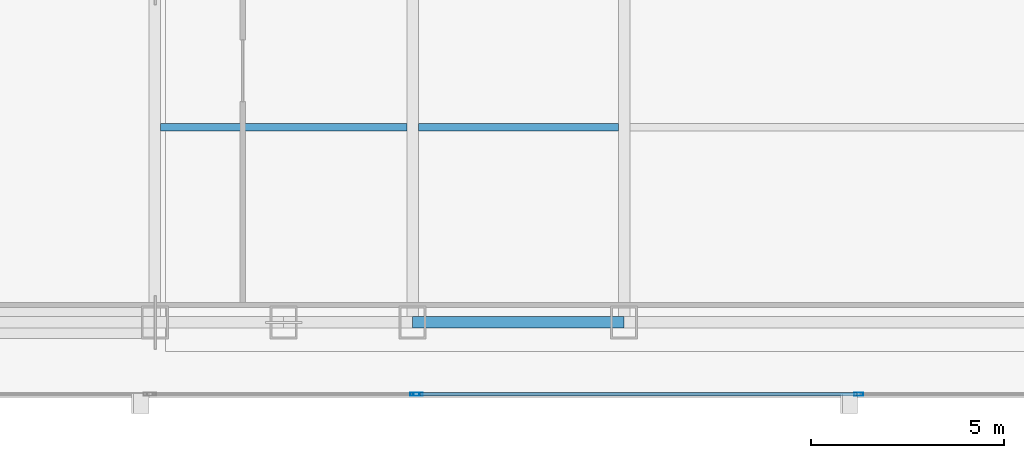
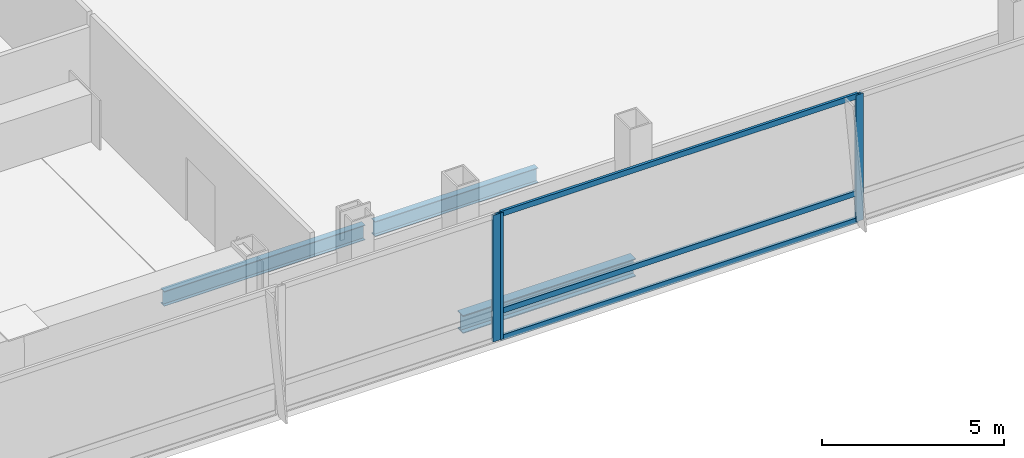
# One storey, part 7 of 25: 6 members, 3 beams, 2 elements without a shape of their own.
"""IFC4 building model written with IfcOpenShell, lengths in metres."""

from ifc_helpers import new_model, si_unit, direction, frame, origin, origin_2d, place, context, subcontext, project, spatial, hollow_rectangle, i_section, extrude, material, material_profile, profile_set, type_object, element, aggregate, save


model = new_model("IFC4")

# Units and contexts
model_context = context("Model", 3, precision=1e-05, world=origin(), true_north=direction((0.0, 1.0)))
body_context = subcontext(model_context, "Body", "Model", "MODEL_VIEW")
ifc_project = project(units=[si_unit("LENGTHUNIT", "METRE"), si_unit("AREAUNIT", "SQUARE_METRE"), si_unit("VOLUMEUNIT", "CUBIC_METRE"), si_unit("PLANEANGLEUNIT", "RADIAN"), si_unit("MASSUNIT", "GRAM", prefix="KILO")], contexts=[model_context])

# Site, building, storey
site_placement = place(None, origin())
site = spatial("IfcSite", under=ifc_project, at=site_placement, CompositionType="ELEMENT")
building_placement = place(site_placement, origin())
building = spatial("IfcBuilding", under=site, at=building_placement, Name="Khoronbel Lancet Exchange", CompositionType="ELEMENT")
storey_placement = place(building_placement, frame((0.0, 0.0, 184.199951171875)))
storey = spatial("IfcBuildingStorey", under=building, at=storey_placement, Name="L46", CompositionType="ELEMENT", Elevation=184.199951171875)

# Beams
ifc_material_1 = material(Name="Steel S355", Category="steel")
ifc_material_profile_1 = material_profile(ifc_material_1, i_section(OverallWidth=0.199951171875, OverallDepth=0.5, WebThickness=0.01025390625, FlangeThickness=0.01611328125, at=origin_2d()), Name="IPE 500")
ifc_profile_set_1 = profile_set([ifc_material_profile_1], Name="Steel S355")
beam_type_1 = type_object("IfcBeamType", Name="BM-BJ3", PredefinedType="JOIST", material=ifc_profile_set_1)
beam_1_placement = place(storey_placement, frame((18.375, 15.199951171875, -0.449951171875), z_axis=(1.0, 0.0, 0.0), x_axis=(0.0, 1.0, 0.0)))
element("IfcBeam", 1, at=beam_1_placement, inside=storey, type_object=beam_type_1, Name="Level L46 secondary composite joist J01", PredefinedType="JOIST", context=body_context, shape_type="SweptSolid", body=[
    extrude(i_section(OverallWidth=0.199951171875, OverallDepth=0.5, WebThickness=0.01025390625, FlangeThickness=0.01611328125, at=origin_2d()), origin(), (0.0, 0.0, 1.0), 6.375),
])
beam_2_placement = place(storey_placement, frame((25.050048828125, 15.199951171875, -0.449951171875), z_axis=(1.0, 0.0, 0.0), x_axis=(0.0, 1.0, 0.0)))
element("IfcBeam", 2, at=beam_2_placement, inside=storey, type_object=beam_type_1, Name="Level L46 secondary composite joist J02", PredefinedType="JOIST", context=body_context, shape_type="SweptSolid", body=[
    extrude(i_section(OverallWidth=0.199951171875, OverallDepth=0.5, WebThickness=0.01025390625, FlangeThickness=0.01611328125, at=origin_2d()), origin(), (0.0, 0.0, 1.0), 5.175048828125),
])
ifc_material_profile_2 = material_profile(ifc_material_1, i_section(OverallWidth=0.300048828125, OverallDepth=0.60009765625, WebThickness=0.015380859375, FlangeThickness=0.030029296875, at=origin_2d()), Name="HEB 600")
ifc_profile_set_2 = profile_set([ifc_material_profile_2], Name="Steel S355")
beam_type_2 = type_object("IfcBeamType", Name="BM-BSP2", PredefinedType="SPANDREL", material=ifc_profile_set_2)
beam_3_placement = place(storey_placement, frame((24.89990234375, 10.14990234375, -0.5), z_axis=(1.0, 0.0, 0.0), x_axis=(0.0, 1.0, 0.0)))
element("IfcBeam", 3, at=beam_3_placement, inside=storey, type_object=beam_type_2, Name="Level L46 perimeter spandrel beam SP04", PredefinedType="SPANDREL", context=body_context, shape_type="SweptSolid", body=[
    extrude(i_section(OverallWidth=0.300048828125, OverallDepth=0.60009765625, WebThickness=0.015380859375, FlangeThickness=0.030029296875, at=origin_2d()), origin(), (0.0, 0.0, 1.0), 5.47509765625),
])

# Curtain wall, member
ifc_material_2 = material(Name="Low-E Solar Control Insulating Glass", Category="glass")
curtain_wall_type = type_object("IfcCurtainWallType", Name="CW-3", PredefinedType="NOTDEFINED", material=ifc_material_2)
curtain_wall_1_placement = place(storey_placement, origin())
curtain_wall_1 = element("IfcCurtainWall", 4, at=curtain_wall_1_placement, inside=storey, type_object=curtain_wall_type, Name="Unitised curtain wall CW-L46-SWB", PredefinedType="NOTDEFINED")
ifc_material_3 = material(Name="Bronze-Anodised Aluminium 6063-T6", Category="aluminium")
ifc_material_profile_3 = material_profile(ifc_material_3, hollow_rectangle(XDim=0.0849609375, YDim=0.239990234375, WallThickness=0.006103515625, at=origin_2d()), Name="ALU MULLION 85x240")
ifc_profile_set_3 = profile_set([ifc_material_profile_3], Name="Bronze-Anodised Aluminium 6063-T6")
member_type_1 = type_object("IfcMemberType", Name="MEM-CWM1", PredefinedType="MULLION", material=ifc_profile_set_3)
member_1_placement = place(storey_placement, frame((24.95751953125, 8.2900390625, 0.0), z_axis=(0.0, 0.0, 1.0), x_axis=(0.0, 1.0, 0.0)))
member_1 = element("IfcMember", 5, at=member_1_placement, type_object=member_type_1, Name="CW3 mullion 2", PredefinedType="MULLION", context=body_context, shape_type="SweptSolid", body=[
    extrude(hollow_rectangle(XDim=0.0849609375, YDim=0.239990234375, WallThickness=0.006103515625, at=origin_2d()), origin(), (0.0, 0.0, 1.0), 4.239990234375),
])
aggregate(curtain_wall_1, [member_1])

# Curtain wall, members
curtain_wall_2_placement = place(storey_placement, origin())
curtain_wall_2 = element("IfcCurtainWall", 6, at=curtain_wall_2_placement, inside=storey, type_object=curtain_wall_type, Name="Unitised curtain wall CW-L46-SCV", PredefinedType="NOTDEFINED")
member_2_placement = place(storey_placement, frame((25.04248046875, 8.2900390625, 0.0), z_axis=(0.0, 0.0, 1.0), x_axis=(0.0, 1.0, 0.0)))
member_2 = element("IfcMember", 7, at=member_2_placement, type_object=member_type_1, Name="CW3 mullion 1", PredefinedType="MULLION", context=body_context, shape_type="SweptSolid", body=[
    extrude(hollow_rectangle(XDim=0.0849609375, YDim=0.239990234375, WallThickness=0.006103515625, at=origin_2d()), origin(), (0.0, 0.0, 1.0), 4.239990234375),
])
member_3_placement = place(storey_placement, frame((36.449951171875, 8.2900390625, 0.0), z_axis=(0.0, 0.0, 1.0), x_axis=(0.0, 1.0, 0.0)))
member_3 = element("IfcMember", 8, at=member_3_placement, type_object=member_type_1, Name="CW3 mullion 2", PredefinedType="MULLION", context=body_context, shape_type="SweptSolid", body=[
    extrude(hollow_rectangle(XDim=0.0849609375, YDim=0.239990234375, WallThickness=0.006103515625, at=origin_2d()), origin(), (0.0, 0.0, 1.0), 4.239990234375),
])
ifc_material_profile_4 = material_profile(ifc_material_3, hollow_rectangle(XDim=0.0849609375, YDim=0.179931640625, WallThickness=0.0048828125, at=origin_2d()), Name="ALU TRANSOM 85x180")
ifc_profile_set_4 = profile_set([ifc_material_profile_4], Name="Bronze-Anodised Aluminium 6063-T6")
member_type_2 = type_object("IfcMemberType", Name="MEM-CWT1", PredefinedType="USERDEFINED", material=ifc_profile_set_4)
member_4_placement = place(storey_placement, frame((25.0849609375, 8.2900390625, 0.04248046875), z_axis=(1.0, 0.0, 0.0), x_axis=(0.0, 1.0, 0.0)))
member_4 = element("IfcMember", 9, at=member_4_placement, type_object=member_type_2, Name="CW3 transom 1.1", ObjectType="TRANSOM", PredefinedType="USERDEFINED", context=body_context, shape_type="SweptSolid", body=[
    extrude(hollow_rectangle(XDim=0.0849609375, YDim=0.179931640625, WallThickness=0.0048828125, at=origin_2d()), origin(), (0.0, 0.0, 1.0), 11.322509765625),
])
member_5_placement = place(storey_placement, frame((25.0849609375, 8.2900390625, 0.949951171875), z_axis=(1.0, 0.0, 0.0), x_axis=(0.0, 1.0, 0.0)))
member_5 = element("IfcMember", 10, at=member_5_placement, type_object=member_type_2, Name="CW3 transom 1.2", ObjectType="TRANSOM", PredefinedType="USERDEFINED", context=body_context, shape_type="SweptSolid", body=[
    extrude(hollow_rectangle(XDim=0.0849609375, YDim=0.179931640625, WallThickness=0.0048828125, at=origin_2d()), origin(), (0.0, 0.0, 1.0), 11.322509765625),
])
member_6_placement = place(storey_placement, frame((25.0849609375, 8.2900390625, 4.197509765625), z_axis=(1.0, 0.0, 0.0), x_axis=(0.0, 1.0, 0.0)))
member_6 = element("IfcMember", 11, at=member_6_placement, type_object=member_type_2, Name="CW3 transom 1.3", ObjectType="TRANSOM", PredefinedType="USERDEFINED", context=body_context, shape_type="SweptSolid", body=[
    extrude(hollow_rectangle(XDim=0.0849609375, YDim=0.179931640625, WallThickness=0.0048828125, at=origin_2d()), origin(), (0.0, 0.0, 1.0), 11.322509765625),
])
aggregate(curtain_wall_2, [member_2, member_3, member_4, member_5, member_6])

save(model, "model.ifc")
